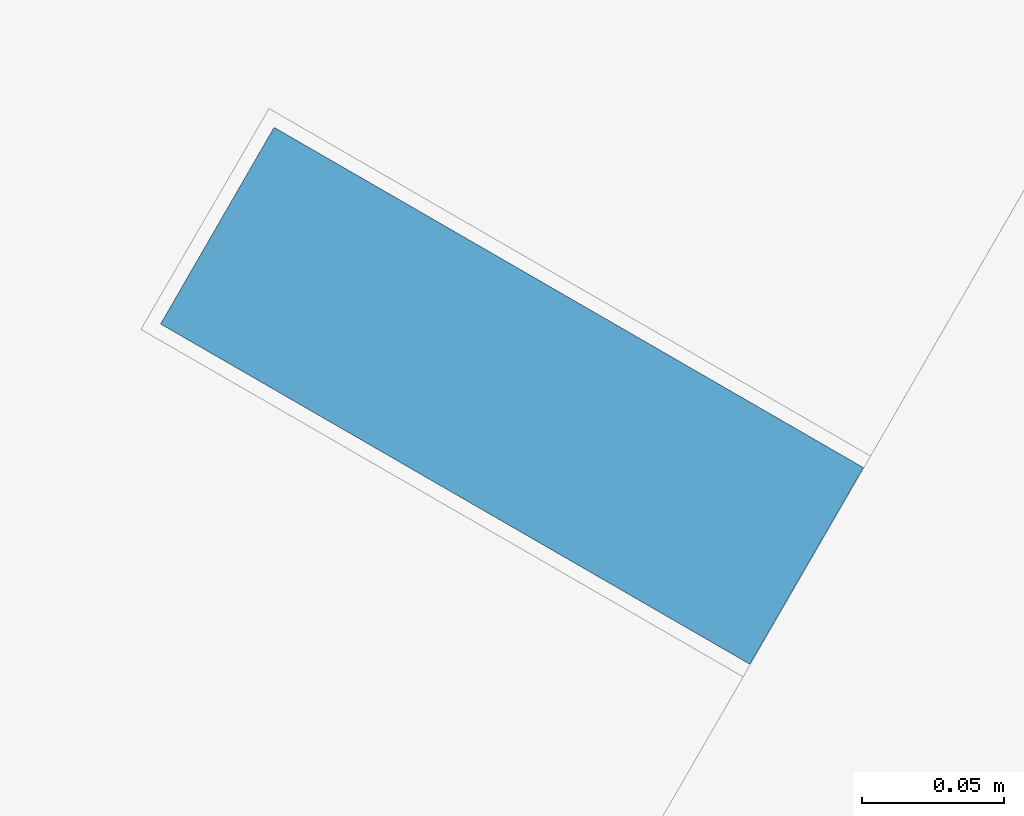
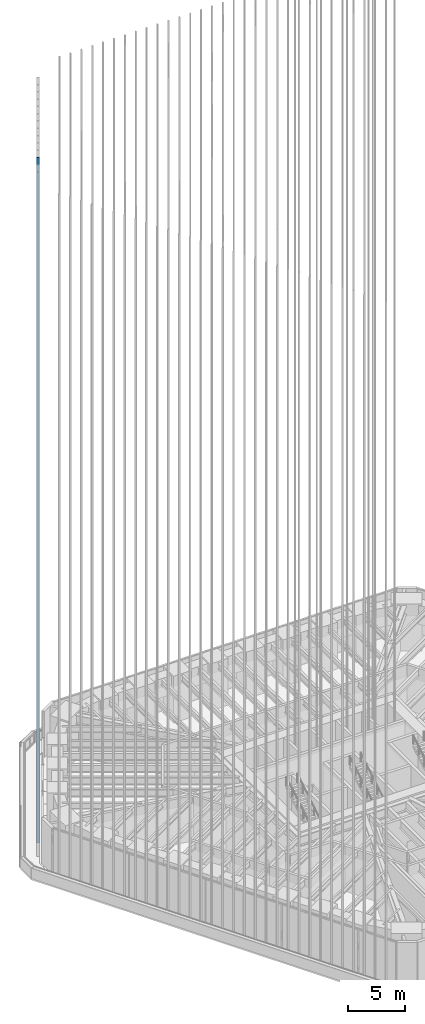
# One storey, part 135 of 228: 1 member, 1 element without a shape of its own.
"""IFC4 building model written with IfcOpenShell, lengths in metres."""

import ifcopenshell
import ifcopenshell.guid

model = None  # the IFC model being written
_history = None  # IfcOwnerHistory: only IFC2X3 demands one
_inside = {}  # id of a spatial element -> (the spatial element, [elements in it])
_under = {}  # id of a project, library or spatial element -> (it, [spatial elements below it])
_declared = {}  # id of a project -> (the project, [libraries it declares])
_typed = {}  # id of a type object -> (the type object, [elements of that type])
_made_of = {}  # id of a material, layer set ... -> (it, [elements and type objects made of it])


def new_model(schema):
    """Start an empty IFC model of exactly this schema.

    Asked for "IFC4X3", IfcOpenShell would pick the latest addendum, in which some entities
    have other attributes; the version numbers below select the first issue.
    IFC2X3 requires an IfcOwnerHistory on every rooted entity: one is made here for all.
    """
    global model, _history
    if schema == "IFC4X3":
        model = ifcopenshell.file(schema_version=(4, 3, 0, 0))
    else:
        model = ifcopenshell.file(schema=schema)
    _inside.clear()
    _under.clear()
    _declared.clear()
    _typed.clear()
    _made_of.clear()
    _history = None
    if model.schema == "IFC2X3":
        org = make("IfcOrganization", Name="unknown")
        user = make(
            "IfcPersonAndOrganization",
            ThePerson=make("IfcPerson", FamilyName="unknown"),
            TheOrganization=org,
        )
        app = make(
            "IfcApplication",
            ApplicationDeveloper=org,
            Version="unknown",
            ApplicationFullName="unknown",
            ApplicationIdentifier="unknown",
        )
        _history = make(
            "IfcOwnerHistory",
            OwningUser=user,
            OwningApplication=app,
            ChangeAction="ADDED",
            CreationDate=0,
        )
    return model


def make(cls, **values):
    """One entity of the class cls with the attributes given. An attribute that is None is left unset."""
    return model.create_entity(
        cls, **{name: value for name, value in values.items() if value is not None}
    )


def rooted(cls, **values):
    """An entity with a GlobalId (a new one), such as an element, a storey or a relation."""
    return make(cls, GlobalId=ifcopenshell.guid.new(), OwnerHistory=_history, **values)


def si_unit(unit_type, name, prefix=None):
    """IfcSIUnit, for example si_unit("LENGTHUNIT", "METRE", prefix="MILLI")."""
    return make("IfcSIUnit", UnitType=unit_type, Prefix=prefix, Name=name)


def assignment(units):
    """IfcUnitAssignment: the units of a project."""
    return None if units is None else make("IfcUnitAssignment", Units=units)


def point(xyz):
    """IfcCartesianPoint."""
    return None if xyz is None else make("IfcCartesianPoint", Coordinates=xyz)


def direction(xyz):
    """IfcDirection."""
    return None if xyz is None else make("IfcDirection", DirectionRatios=xyz)


def frame(location, z_axis=None, x_axis=None):
    """IfcAxis2Placement3D, a coordinate frame: its origin and axes. An axis left out is left unset."""
    return make(
        "IfcAxis2Placement3D",
        Location=point(location),
        Axis=direction(z_axis),
        RefDirection=direction(x_axis),
    )


def frame_2d(location, x_axis=None):
    """IfcAxis2Placement2D, a coordinate frame in the plane: its origin and x axis."""
    return make(
        "IfcAxis2Placement2D", Location=point(location), RefDirection=direction(x_axis)
    )


def origin():
    """The frame at (0, 0, 0) with its axes left unset."""
    return frame((0.0, 0.0, 0.0))


def origin_2d():
    """The frame at (0, 0) in the plane with its x axis left unset."""
    return frame_2d((0.0, 0.0))


def place(relative_to, where):
    """IfcLocalPlacement: puts the frame where relative to a parent placement (None: the world)."""
    return make(
        "IfcLocalPlacement", PlacementRelTo=relative_to, RelativePlacement=where
    )


def context(
    kind, dimensions, precision=None, world=None, true_north=None, identifier=None
):
    """IfcGeometricRepresentationContext, for example the 3D "Model" context."""
    return make(
        "IfcGeometricRepresentationContext",
        ContextIdentifier=identifier,
        ContextType=kind,
        CoordinateSpaceDimension=dimensions,
        Precision=precision,
        WorldCoordinateSystem=world,
        TrueNorth=true_north,
    )


def subcontext(parent, identifier, kind, view, scale=None):
    """IfcGeometricRepresentationSubContext, for example "Body" below "Model"."""
    return make(
        "IfcGeometricRepresentationSubContext",
        ContextIdentifier=identifier,
        ContextType=kind,
        ParentContext=parent,
        TargetScale=scale,
        TargetView=view,
    )


def project(units=None, contexts=None):
    """IfcProject with its units and contexts."""
    return rooted(
        "IfcProject",
        Name="project",
        RepresentationContexts=contexts,
        UnitsInContext=assignment(units),
    )


def spatial(cls, under=None, at=None, **own):
    """A site, building, storey or space (cls), placed at a placement, below another one or the project."""
    s = rooted(cls, ObjectPlacement=at, **own)
    if under is not None:
        _under.setdefault(under.id(), (under, []))[1].append(s)
    return s


def profile(cls, at=None, kind="AREA", **sizes):
    """A parametric profile (cls). Its sizes go by their IFC names, for example OverallWidth=200.0."""
    return make(cls, ProfileType=kind, Position=at, **sizes)


def rectangle(**sizes):
    """IfcRectangleProfileDef."""
    return profile("IfcRectangleProfileDef", **sizes)


def extrude(swept, where, along, depth):
    """IfcExtrudedAreaSolid: the profile swept, set in the frame where, extruded along a direction by depth."""
    return make(
        "IfcExtrudedAreaSolid",
        SweptArea=swept,
        Position=where,
        ExtrudedDirection=direction(along),
        Depth=depth,
    )


def shape(context_of_items, identifier, shape_type, items):
    """IfcShapeRepresentation: the items that make up one representation, for example the "Body"."""
    return make(
        "IfcShapeRepresentation",
        ContextOfItems=context_of_items,
        RepresentationIdentifier=identifier,
        RepresentationType=shape_type,
        Items=items,
    )


def material(Name=None, Category=None):
    """IfcMaterial."""
    return make("IfcMaterial", Name=Name, Category=Category)


def material_profile(
    of_material, cross_section, Name=None, Category=None, Priority=None
):
    """IfcMaterialProfile: a cross section and its material."""
    return make(
        "IfcMaterialProfile",
        Name=Name,
        Material=of_material,
        Profile=cross_section,
        Priority=Priority,
        Category=Category,
    )


def profile_set(profiles, Name=None, composite=None):
    """IfcMaterialProfileSet."""
    return make(
        "IfcMaterialProfileSet",
        Name=Name,
        MaterialProfiles=profiles,
        CompositeProfile=composite,
    )


def made_of(thing, what):
    """Note that an element or type object is made of a material, layer set ...; save() writes the relation."""
    if what is not None:
        _made_of.setdefault(what.id(), (what, []))[1].append(thing)
    return thing


def type_object(cls, material=None, **own):
    """A type object (cls), such as IfcWallType, which elements share."""
    return made_of(rooted(cls, **own), material)


def element(
    cls,
    number,
    at=None,
    inside=None,
    cuts=None,
    type_object=None,
    material=None,
    context=None,
    identifier="Body",
    shape_type=None,
    held_by="IfcProductDefinitionShape",
    body=None,
    shapes=None,
    **own,
):
    """One element of the class cls, such as IfcWall. Its Tag is "e" and its number.

    at: its placement. inside: the storey or other place that contains it. cuts: it is an
    opening in that element (IfcRelVoidsElement). A single representation is given by context,
    identifier, shape_type and body (its items); several are given by shapes. held_by: the class
    of the entity that holds the representations. save() writes the other relations.
    """
    e = rooted(cls, Tag="e%d" % number, ObjectPlacement=at, **own)
    if body is not None:
        shapes = [shape(context, identifier, shape_type, body)]
    if shapes is not None:
        e.Representation = make(held_by, Representations=shapes)
    if inside is not None:
        _inside.setdefault(inside.id(), (inside, []))[1].append(e)
    if cuts is not None:
        rooted(
            "IfcRelVoidsElement", RelatingBuildingElement=cuts, RelatedOpeningElement=e
        )
    if type_object is not None:
        _typed.setdefault(type_object.id(), (type_object, []))[1].append(e)
    return made_of(e, material)


def aggregate(whole, parts):
    """IfcRelAggregates: a whole, such as a stair, and the parts it consists of."""
    return rooted("IfcRelAggregates", RelatingObject=whole, RelatedObjects=parts)


def save(model, path):
    """Write the relations noted so far, then the file.

    IfcRelAggregates (storeys below a building ...), IfcRelContainedInSpatialStructure (elements
    in a storey), IfcRelDefinesByType, IfcRelAssociatesMaterial and IfcRelDeclares: one each for
    every whole, place, type object, material and project.
    """
    for whole, parts in _under.values():
        aggregate(whole, parts)
    for where, things in _inside.values():
        rooted(
            "IfcRelContainedInSpatialStructure",
            RelatedElements=things,
            RelatingStructure=where,
        )
    for kind, things in _typed.values():
        rooted("IfcRelDefinesByType", RelatedObjects=things, RelatingType=kind)
    for what, things in _made_of.values():
        rooted("IfcRelAssociatesMaterial", RelatedObjects=things, RelatingMaterial=what)
    for by, libraries in _declared.values():
        rooted("IfcRelDeclares", RelatingContext=by, RelatedDefinitions=libraries)
    model.write(path)


model = new_model("IFC4")

# Units and contexts
model_context = context("Model", 3, precision=1e-05, world=origin(), true_north=direction((0.0, 1.0)))
body_context = subcontext(model_context, "Body", "Model", "MODEL_VIEW")
ifc_project = project(units=[si_unit("LENGTHUNIT", "METRE"), si_unit("AREAUNIT", "SQUARE_METRE"), si_unit("VOLUMEUNIT", "CUBIC_METRE"), si_unit("PLANEANGLEUNIT", "RADIAN"), si_unit("MASSUNIT", "GRAM", prefix="KILO")], contexts=[model_context])

# Site, building, storey
site_placement = place(None, origin())
site = spatial("IfcSite", under=ifc_project, at=site_placement, CompositionType="ELEMENT")
building_placement = place(site_placement, origin())
building = spatial("IfcBuilding", under=site, at=building_placement, Name="Sandreach Pilgrim Tower", CompositionType="ELEMENT")
storey_placement = place(building_placement, frame((0.0, 0.0, 178.199951171875)))
storey = spatial("IfcBuildingStorey", under=building, at=storey_placement, Name="L44", CompositionType="ELEMENT", Elevation=178.199951171875)

# Curtain wall, member
ifc_material_1 = material(Name="Aluminium framed curtain wall", Category="aluminium")
curtain_wall_type = type_object("IfcCurtainWallType", Name="Upper hotel tower curtain wall", PredefinedType="NOTDEFINED", material=ifc_material_1)
curtain_wall_placement = place(storey_placement, origin())
curtain_wall = element("IfcCurtainWall", 1, at=curtain_wall_placement, inside=storey, type_object=curtain_wall_type, Name="CW-3 L44 NW", PredefinedType="NOTDEFINED")
ifc_material_2 = material(Name="Extruded terracotta on aluminium core", Category="masonry")
ifc_material_profile = material_profile(ifc_material_2, rectangle(XDim=0.080078125, YDim=0.239990234375, at=origin_2d()), Name="TBW 80X240")
ifc_profile_set = profile_set([ifc_material_profile], Name="Extruded terracotta on aluminium core")
member_type = type_object("IfcMemberType", Name="Terracotta baguette west", PredefinedType="USERDEFINED", material=ifc_profile_set)
member_placement = place(storey_placement, frame((-25.837158203125, 9.13916015625, 0.0), z_axis=(0.0, 0.0, 1.0), x_axis=(0.5, 0.866025403784, 0.0)))
member = element("IfcMember", 2, at=member_placement, type_object=member_type, Name="Baguette Z3 NW03", ObjectType="BAGUETTE", PredefinedType="USERDEFINED", context=body_context, shape_type="SweptSolid", body=[
    extrude(rectangle(XDim=0.080078125, YDim=0.239990234375, at=origin_2d()), origin(), (0.0, 0.0, 1.0), 73.239990234375),
])
aggregate(curtain_wall, [member])

save(model, "model.ifc")
